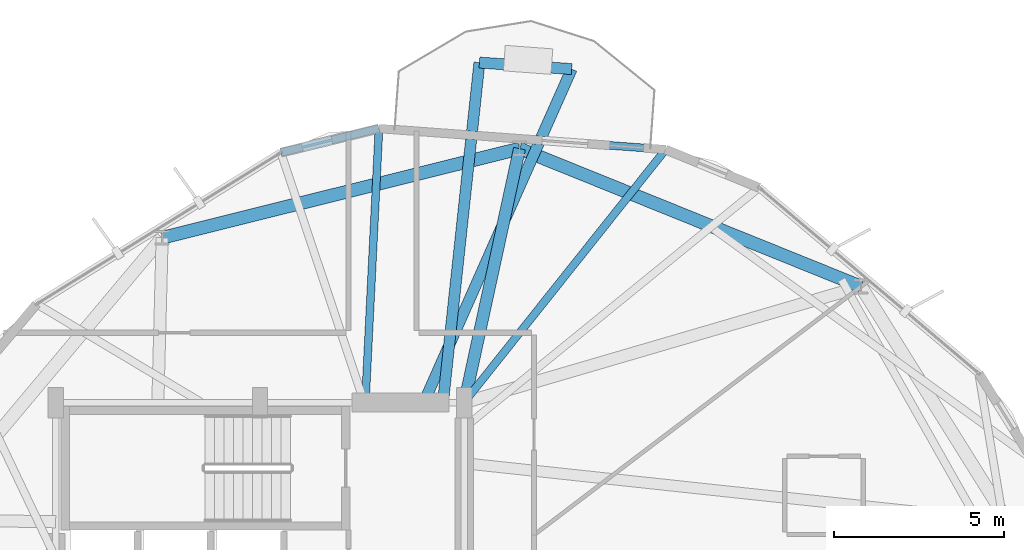
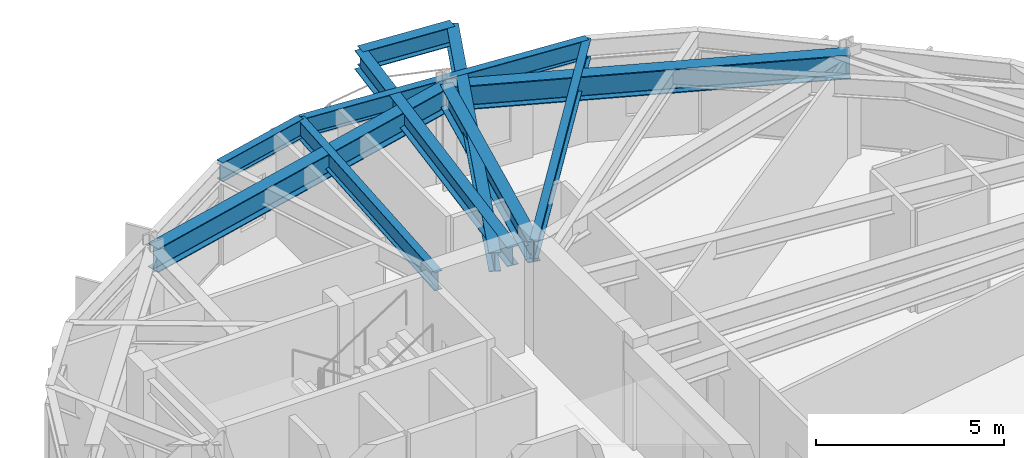
# One storey, part 12 of 21: 10 beams.
"""IFC4 building model written with IfcOpenShell, lengths in metres."""

from ifc_helpers import new_model, si_unit, direction, frame, origin, origin_2d, place, context, subcontext, project, spatial, i_section, extrude, material, material_profile, profile_set, type_object, element, save


model = new_model("IFC4")

# Units and contexts
model_context = context("Model", 3, precision=1e-05, world=origin(), true_north=direction((0.0, 1.0)))
body_context = subcontext(model_context, "Body", "Model", "MODEL_VIEW")
ifc_project = project(units=[si_unit("LENGTHUNIT", "METRE"), si_unit("AREAUNIT", "SQUARE_METRE"), si_unit("VOLUMEUNIT", "CUBIC_METRE"), si_unit("PLANEANGLEUNIT", "RADIAN"), si_unit("MASSUNIT", "GRAM", prefix="KILO")], contexts=[model_context])

# Site, building, storey
site_placement = place(None, origin())
site = spatial("IfcSite", under=ifc_project, at=site_placement, CompositionType="ELEMENT")
building_placement = place(site_placement, origin())
building = spatial("IfcBuilding", under=site, at=building_placement, Name="Soratama Intermodal Tower", CompositionType="ELEMENT")
storey_placement = place(building_placement, frame((0.0, 0.0, 153.39990234375)))
storey = spatial("IfcBuildingStorey", under=building, at=storey_placement, Name="L37", CompositionType="ELEMENT", Elevation=153.39990234375)

# Beams
ifc_material_1 = material(Name="Structural steel ASTM A992 Grade 50", Category="steel")
ifc_material_profile_1 = material_profile(ifc_material_1, i_section(OverallWidth=0.324951171875, OverallDepth=0.615966796875, WebThickness=0.013916015625, FlangeThickness=0.021484375, FilletRadius=0.013916015625, at=origin_2d()), Name="W24X117")
ifc_profile_set_1 = profile_set([ifc_material_profile_1], Name="Structural steel ASTM A992 Grade 50")
beam_type_1 = type_object("IfcBeamType", Name="BM-CANT-W24X117", PredefinedType="BEAM", material=ifc_profile_set_1)
beam_1_placement = place(storey_placement, frame((47.751953125, 44.7939453125, 2.9921875), z_axis=(-0.997517699317, 0.070416188114, 0.0), x_axis=(-0.070416188114, -0.997517699317, 0.0)))
element("IfcBeam", 1, at=beam_1_placement, inside=storey, type_object=beam_type_1, Name="BM-L37-CBHDR-2", PredefinedType="BEAM", context=body_context, shape_type="SweptSolid", body=[
    extrude(i_section(OverallWidth=0.324951171875, OverallDepth=0.615966796875, WebThickness=0.013916015625, FlangeThickness=0.021484375, FilletRadius=0.013916015625, at=origin_2d()), origin(), (0.0, 0.0, 1.0), 2.71484375),
])
beam_2_placement = place(storey_placement, frame((43.425048828125, 35.037109375, 2.9921875), z_axis=(0.405397636334, 0.914140446789, 0.0), x_axis=(-0.914140446789, 0.405397636334, 0.0)))
element("IfcBeam", 2, at=beam_2_placement, inside=storey, type_object=beam_type_1, Name="BM-L37-CANT-2-1", PredefinedType="BEAM", context=body_context, shape_type="SweptSolid", body=[
    extrude(i_section(OverallWidth=0.324951171875, OverallDepth=0.615966796875, WebThickness=0.013916015625, FlangeThickness=0.021484375, FilletRadius=0.013916015625, at=origin_2d()), origin(), (0.0, 0.0, 1.0), 10.67333984375),
])
beam_3_placement = place(storey_placement, frame((43.97705078125, 35.0400390625, 2.9921875), z_axis=(0.106666709613, 0.99429483206, 0.0), x_axis=(-0.99429483206, 0.106666709613, 0.0)))
element("IfcBeam", 3, at=beam_3_placement, inside=storey, type_object=beam_type_1, Name="BM-L37-CANT-2-2", PredefinedType="BEAM", context=body_context, shape_type="SweptSolid", body=[
    extrude(i_section(OverallWidth=0.324951171875, OverallDepth=0.615966796875, WebThickness=0.013916015625, FlangeThickness=0.021484375, FilletRadius=0.013916015625, at=origin_2d()), origin(), (0.0, 0.0, 1.0), 10.002197265625),
])
ifc_material_2 = material(Name="Structural steel ASTM A992 Grade 50", Category="steel")
ifc_material_profile_2 = material_profile(ifc_material_2, i_section(OverallWidth=0.35498046875, OverallDepth=0.695068359375, WebThickness=0.015380859375, FlangeThickness=0.02490234375, FilletRadius=0.01611328125, at=origin_2d()), Name="W27X146")
ifc_profile_set_2 = profile_set([ifc_material_profile_2], Name="Structural steel ASTM A992 Grade 50")
beam_type_2 = type_object("IfcBeamType", Name="BM-RING-W27X146", PredefinedType="BEAM", material=ifc_profile_set_2)
beam_4_placement = place(storey_placement, frame((44.60009765625, 35.0, 2.95263671875), z_axis=(0.212399095304, 0.977183004515, 0.0), x_axis=(-0.977183004515, 0.212399095304, 0.0)))
element("IfcBeam", 4, at=beam_4_placement, inside=storey, type_object=beam_type_2, Name="BM-L37-RAD-03", PredefinedType="BEAM", context=body_context, shape_type="SweptSolid", body=[
    extrude(i_section(OverallWidth=0.35498046875, OverallDepth=0.695068359375, WebThickness=0.015380859375, FlangeThickness=0.02490234375, FilletRadius=0.01611328125, at=origin_2d()), origin(), (0.0, 0.0, 1.0), 7.631103515625),
])
ifc_material_3 = material(Name="Structural steel ASTM A992 Grade 50", Category="steel")
ifc_material_profile_3 = material_profile(ifc_material_3, i_section(OverallWidth=0.382080078125, OverallDepth=0.779052734375, WebThickness=0.01806640625, FlangeThickness=0.030029296875, FilletRadius=0.01806640625, at=origin_2d()), Name="W30X191")
ifc_profile_set_3 = profile_set([ifc_material_profile_3], Name="Structural steel ASTM A992 Grade 50")
beam_type_3 = type_object("IfcBeamType", Name="BM-RING-W30X191", PredefinedType="BEAM", material=ifc_profile_set_3)
beam_5_placement = place(storey_placement, frame((56.2490234375, 38.406005859375, 2.91064453125), z_axis=(-0.927202491827, 0.374560461275, 0.0), x_axis=(-0.374560461275, -0.927202491827, 0.0)))
element("IfcBeam", 5, at=beam_5_placement, inside=storey, type_object=beam_type_3, Name="BM-L37-RING-02", PredefinedType="BEAM", context=body_context, shape_type="SweptSolid", body=[
    extrude(i_section(OverallWidth=0.382080078125, OverallDepth=0.779052734375, WebThickness=0.01806640625, FlangeThickness=0.030029296875, FilletRadius=0.01806640625, at=origin_2d()), origin(), (0.0, 0.0, 1.0), 10.8154296875),
])
beam_6_placement = place(storey_placement, frame((46.220947265625, 42.45703125, 2.91064453125), z_axis=(-0.970310893227, -0.241861056155, 0.0), x_axis=(0.241861056155, -0.970310893227, 0.0)))
element("IfcBeam", 6, at=beam_6_placement, inside=storey, type_object=beam_type_3, Name="BM-L37-RING-03", PredefinedType="BEAM", context=body_context, shape_type="SweptSolid", body=[
    extrude(i_section(OverallWidth=0.382080078125, OverallDepth=0.779052734375, WebThickness=0.01806640625, FlangeThickness=0.030029296875, FilletRadius=0.01806640625, at=origin_2d()), origin(), (0.0, 0.0, 1.0), 10.81591796875),
])
ifc_material_4 = material(Name="Structural steel ASTM A992 Grade 50", Category="steel")
ifc_material_profile_4 = material_profile(ifc_material_4, i_section(OverallWidth=0.22900390625, OverallDepth=0.612060546875, WebThickness=0.011962890625, FlangeThickness=0.01953125, FilletRadius=0.012939453125, at=origin_2d()), Name="W24X84")
ifc_profile_set_4 = profile_set([ifc_material_profile_4], Name="Structural steel ASTM A992 Grade 50")
beam_type_4 = type_object("IfcBeamType", Name="BM-SPN-W24X84", PredefinedType="SPANDREL", material=ifc_profile_set_4)
beam_7_placement = place(storey_placement, frame((50.511962890625, 42.431884765625, 2.994140625), z_axis=(-0.997314589032, 0.073236674577, 0.0), x_axis=(-0.073236674577, -0.997314589032, 0.0)))
element("IfcBeam", 7, at=beam_7_placement, inside=storey, type_object=beam_type_4, Name="BS-L37-F02", PredefinedType="SPANDREL", context=body_context, shape_type="SweptSolid", body=[
    extrude(i_section(OverallWidth=0.22900390625, OverallDepth=0.612060546875, WebThickness=0.011962890625, FlangeThickness=0.01953125, FilletRadius=0.012939453125, at=origin_2d()), origin(), (0.0, 0.0, 1.0), 8.440673828125),
])
beam_8_placement = place(storey_placement, frame((42.093994140625, 43.050048828125, 2.994140625), z_axis=(-0.97110765541, -0.238641827022, 0.0), x_axis=(0.238641827022, -0.97110765541, 0.0)))
element("IfcBeam", 8, at=beam_8_placement, inside=storey, type_object=beam_type_4, Name="BS-L37-CRN02", PredefinedType="SPANDREL", context=body_context, shape_type="SweptSolid", body=[
    extrude(i_section(OverallWidth=0.22900390625, OverallDepth=0.612060546875, WebThickness=0.011962890625, FlangeThickness=0.01953125, FilletRadius=0.012939453125, at=origin_2d()), origin(), (0.0, 0.0, 1.0), 2.966796875),
])
ifc_material_5 = material(Name="Structural steel ASTM A992 Grade 50", Category="steel")
ifc_material_profile_5 = material_profile(ifc_material_5, i_section(OverallWidth=0.22900390625, OverallDepth=0.612060546875, WebThickness=0.011962890625, FlangeThickness=0.01953125, FilletRadius=0.012939453125, at=origin_2d()), Name="W24X84")
ifc_profile_set_5 = profile_set([ifc_material_profile_5], Name="Structural steel ASTM A992 Grade 50")
beam_type_5 = type_object("IfcBeamType", Name="BM-TIE-W24X84", PredefinedType="BEAM", material=ifc_profile_set_5)
beam_9_placement = place(storey_placement, frame((44.614990234375, 35.031005859375, 2.994140625), z_axis=(0.623164748622, 0.782090593266, 0.0), x_axis=(-0.782090593266, 0.623164748622, 0.0)))
element("IfcBeam", 9, at=beam_9_placement, inside=storey, type_object=beam_type_5, Name="BM-L37-TIE0-02", PredefinedType="BEAM", context=body_context, shape_type="SweptSolid", body=[
    extrude(i_section(OverallWidth=0.22900390625, OverallDepth=0.612060546875, WebThickness=0.011962890625, FlangeThickness=0.01953125, FilletRadius=0.012939453125, at=origin_2d()), origin(), (0.0, 0.0, 1.0), 9.462890625),
])
beam_10_placement = place(storey_placement, frame((41.695068359375, 35.0400390625, 2.994140625), z_axis=(0.049741756593, 0.998762112643, 0.0), x_axis=(-0.998762112643, 0.049741756593, 0.0)))
element("IfcBeam", 10, at=beam_10_placement, inside=storey, type_object=beam_type_5, Name="BM-L37-TIE1-02", PredefinedType="BEAM", context=body_context, shape_type="SweptSolid", body=[
    extrude(i_section(OverallWidth=0.22900390625, OverallDepth=0.612060546875, WebThickness=0.011962890625, FlangeThickness=0.01953125, FilletRadius=0.012939453125, at=origin_2d()), origin(), (0.0, 0.0, 1.0), 8.02001953125),
])

save(model, "model.ifc")
